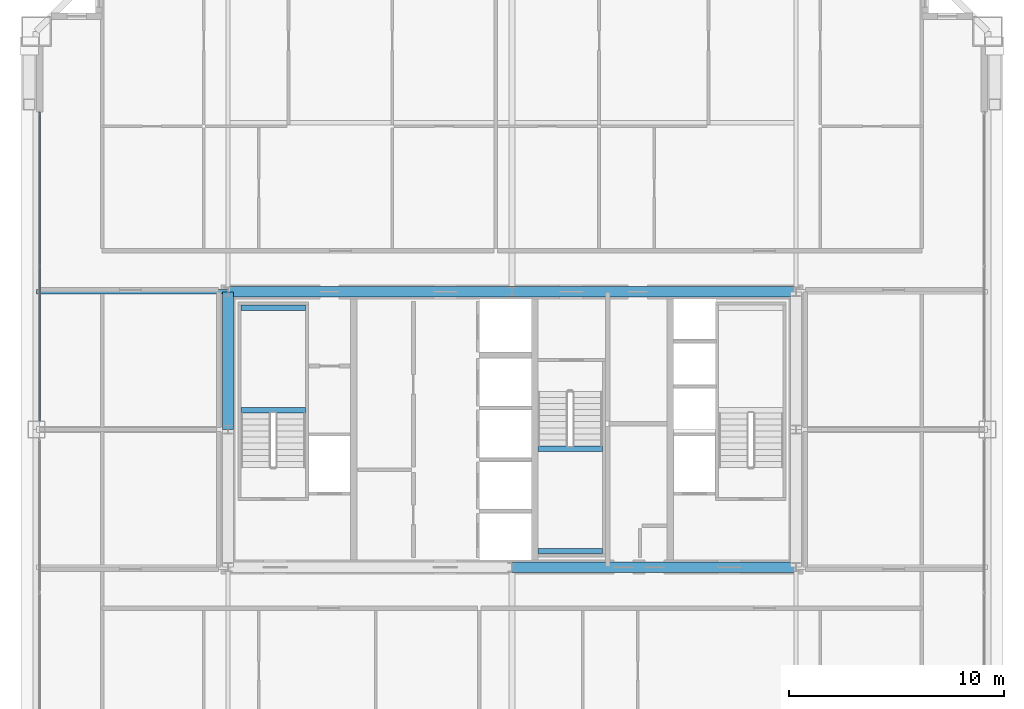
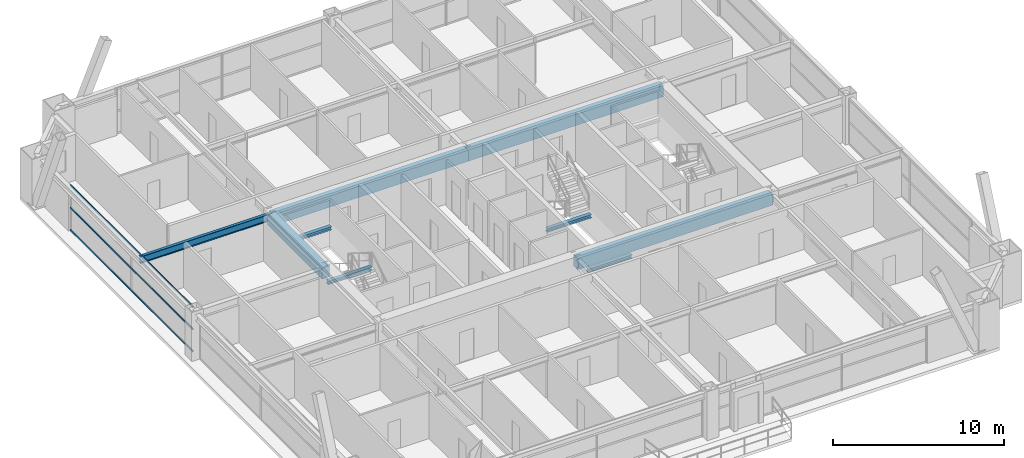
# One storey, part 19 of 45: 9 beams, 3 members, 1 element without a shape of its own.
"""IFC4 building model written with IfcOpenShell, lengths in metres."""

import ifcopenshell
import ifcopenshell.guid

model = None  # the IFC model being written
_history = None  # IfcOwnerHistory: only IFC2X3 demands one
_inside = {}  # id of a spatial element -> (the spatial element, [elements in it])
_under = {}  # id of a project, library or spatial element -> (it, [spatial elements below it])
_declared = {}  # id of a project -> (the project, [libraries it declares])
_typed = {}  # id of a type object -> (the type object, [elements of that type])
_made_of = {}  # id of a material, layer set ... -> (it, [elements and type objects made of it])


def new_model(schema):
    """Start an empty IFC model of exactly this schema.

    Asked for "IFC4X3", IfcOpenShell would pick the latest addendum, in which some entities
    have other attributes; the version numbers below select the first issue.
    IFC2X3 requires an IfcOwnerHistory on every rooted entity: one is made here for all.
    """
    global model, _history
    if schema == "IFC4X3":
        model = ifcopenshell.file(schema_version=(4, 3, 0, 0))
    else:
        model = ifcopenshell.file(schema=schema)
    _inside.clear()
    _under.clear()
    _declared.clear()
    _typed.clear()
    _made_of.clear()
    _history = None
    if model.schema == "IFC2X3":
        org = make("IfcOrganization", Name="unknown")
        user = make(
            "IfcPersonAndOrganization",
            ThePerson=make("IfcPerson", FamilyName="unknown"),
            TheOrganization=org,
        )
        app = make(
            "IfcApplication",
            ApplicationDeveloper=org,
            Version="unknown",
            ApplicationFullName="unknown",
            ApplicationIdentifier="unknown",
        )
        _history = make(
            "IfcOwnerHistory",
            OwningUser=user,
            OwningApplication=app,
            ChangeAction="ADDED",
            CreationDate=0,
        )
    return model


def make(cls, **values):
    """One entity of the class cls with the attributes given. An attribute that is None is left unset."""
    return model.create_entity(
        cls, **{name: value for name, value in values.items() if value is not None}
    )


def rooted(cls, **values):
    """An entity with a GlobalId (a new one), such as an element, a storey or a relation."""
    return make(cls, GlobalId=ifcopenshell.guid.new(), OwnerHistory=_history, **values)


def si_unit(unit_type, name, prefix=None):
    """IfcSIUnit, for example si_unit("LENGTHUNIT", "METRE", prefix="MILLI")."""
    return make("IfcSIUnit", UnitType=unit_type, Prefix=prefix, Name=name)


def assignment(units):
    """IfcUnitAssignment: the units of a project."""
    return None if units is None else make("IfcUnitAssignment", Units=units)


def point(xyz):
    """IfcCartesianPoint."""
    return None if xyz is None else make("IfcCartesianPoint", Coordinates=xyz)


def direction(xyz):
    """IfcDirection."""
    return None if xyz is None else make("IfcDirection", DirectionRatios=xyz)


def frame(location, z_axis=None, x_axis=None):
    """IfcAxis2Placement3D, a coordinate frame: its origin and axes. An axis left out is left unset."""
    return make(
        "IfcAxis2Placement3D",
        Location=point(location),
        Axis=direction(z_axis),
        RefDirection=direction(x_axis),
    )


def frame_2d(location, x_axis=None):
    """IfcAxis2Placement2D, a coordinate frame in the plane: its origin and x axis."""
    return make(
        "IfcAxis2Placement2D", Location=point(location), RefDirection=direction(x_axis)
    )


def origin():
    """The frame at (0, 0, 0) with its axes left unset."""
    return frame((0.0, 0.0, 0.0))


def origin_2d():
    """The frame at (0, 0) in the plane with its x axis left unset."""
    return frame_2d((0.0, 0.0))


def place(relative_to, where):
    """IfcLocalPlacement: puts the frame where relative to a parent placement (None: the world)."""
    return make(
        "IfcLocalPlacement", PlacementRelTo=relative_to, RelativePlacement=where
    )


def context(
    kind, dimensions, precision=None, world=None, true_north=None, identifier=None
):
    """IfcGeometricRepresentationContext, for example the 3D "Model" context."""
    return make(
        "IfcGeometricRepresentationContext",
        ContextIdentifier=identifier,
        ContextType=kind,
        CoordinateSpaceDimension=dimensions,
        Precision=precision,
        WorldCoordinateSystem=world,
        TrueNorth=true_north,
    )


def subcontext(parent, identifier, kind, view, scale=None):
    """IfcGeometricRepresentationSubContext, for example "Body" below "Model"."""
    return make(
        "IfcGeometricRepresentationSubContext",
        ContextIdentifier=identifier,
        ContextType=kind,
        ParentContext=parent,
        TargetScale=scale,
        TargetView=view,
    )


def project(units=None, contexts=None):
    """IfcProject with its units and contexts."""
    return rooted(
        "IfcProject",
        Name="project",
        RepresentationContexts=contexts,
        UnitsInContext=assignment(units),
    )


def spatial(cls, under=None, at=None, **own):
    """A site, building, storey or space (cls), placed at a placement, below another one or the project."""
    s = rooted(cls, ObjectPlacement=at, **own)
    if under is not None:
        _under.setdefault(under.id(), (under, []))[1].append(s)
    return s


def profile(cls, at=None, kind="AREA", **sizes):
    """A parametric profile (cls). Its sizes go by their IFC names, for example OverallWidth=200.0."""
    return make(cls, ProfileType=kind, Position=at, **sizes)


def rectangle(**sizes):
    """IfcRectangleProfileDef."""
    return profile("IfcRectangleProfileDef", **sizes)


def hollow_rectangle(**sizes):
    """IfcRectangleHollowProfileDef."""
    return profile("IfcRectangleHollowProfileDef", **sizes)


def i_section(**sizes):
    """IfcIShapeProfileDef."""
    return profile("IfcIShapeProfileDef", **sizes)


def extrude(swept, where, along, depth):
    """IfcExtrudedAreaSolid: the profile swept, set in the frame where, extruded along a direction by depth."""
    return make(
        "IfcExtrudedAreaSolid",
        SweptArea=swept,
        Position=where,
        ExtrudedDirection=direction(along),
        Depth=depth,
    )


def shape(context_of_items, identifier, shape_type, items):
    """IfcShapeRepresentation: the items that make up one representation, for example the "Body"."""
    return make(
        "IfcShapeRepresentation",
        ContextOfItems=context_of_items,
        RepresentationIdentifier=identifier,
        RepresentationType=shape_type,
        Items=items,
    )


def source(mapping_origin, context_of_items, identifier, shape_type, items):
    """IfcRepresentationMap: a shape defined once, which mapped items show again and again."""
    return make(
        "IfcRepresentationMap",
        MappingOrigin=mapping_origin,
        MappedRepresentation=shape(context_of_items, identifier, shape_type, items),
    )


def transform(
    local_origin,
    x_axis=None,
    y_axis=None,
    z_axis=None,
    scale=None,
    scale2=None,
    scale3=None,
    uniform=True,
):
    """IfcCartesianTransformationOperator3D, or its non-uniform kind. x_axis, y_axis, z_axis: its Axis1, 2, 3."""
    if uniform:
        return make(
            "IfcCartesianTransformationOperator3D",
            Axis1=direction(x_axis),
            Axis2=direction(y_axis),
            LocalOrigin=point(local_origin),
            Scale=scale,
            Axis3=direction(z_axis),
        )
    return make(
        "IfcCartesianTransformationOperator3DnonUniform",
        Axis1=direction(x_axis),
        Axis2=direction(y_axis),
        LocalOrigin=point(local_origin),
        Scale=scale,
        Axis3=direction(z_axis),
        Scale2=scale2,
        Scale3=scale3,
    )


def mapped(mapping_source, mapping_target):
    """IfcMappedItem: shows the shape of a source again, moved by a transform."""
    return make(
        "IfcMappedItem", MappingSource=mapping_source, MappingTarget=mapping_target
    )


def material(Name=None, Category=None):
    """IfcMaterial."""
    return make("IfcMaterial", Name=Name, Category=Category)


def layer(
    of_material, thickness, ventilated=None, Name=None, Category=None, Priority=None
):
    """IfcMaterialLayer: one layer of a wall or slab, of a material (None: an air gap)."""
    return make(
        "IfcMaterialLayer",
        Material=of_material,
        LayerThickness=thickness,
        IsVentilated=ventilated,
        Name=Name,
        Category=Category,
        Priority=Priority,
    )


def layer_set(layers, Name=None):
    """IfcMaterialLayerSet."""
    return make("IfcMaterialLayerSet", MaterialLayers=layers, LayerSetName=Name)


def material_profile(
    of_material, cross_section, Name=None, Category=None, Priority=None
):
    """IfcMaterialProfile: a cross section and its material."""
    return make(
        "IfcMaterialProfile",
        Name=Name,
        Material=of_material,
        Profile=cross_section,
        Priority=Priority,
        Category=Category,
    )


def profile_set(profiles, Name=None, composite=None):
    """IfcMaterialProfileSet."""
    return make(
        "IfcMaterialProfileSet",
        Name=Name,
        MaterialProfiles=profiles,
        CompositeProfile=composite,
    )


def made_of(thing, what):
    """Note that an element or type object is made of a material, layer set ...; save() writes the relation."""
    if what is not None:
        _made_of.setdefault(what.id(), (what, []))[1].append(thing)
    return thing


def type_object(cls, material=None, **own):
    """A type object (cls), such as IfcWallType, which elements share."""
    return made_of(rooted(cls, **own), material)


def element(
    cls,
    number,
    at=None,
    inside=None,
    cuts=None,
    type_object=None,
    material=None,
    context=None,
    identifier="Body",
    shape_type=None,
    held_by="IfcProductDefinitionShape",
    body=None,
    shapes=None,
    **own,
):
    """One element of the class cls, such as IfcWall. Its Tag is "e" and its number.

    at: its placement. inside: the storey or other place that contains it. cuts: it is an
    opening in that element (IfcRelVoidsElement). A single representation is given by context,
    identifier, shape_type and body (its items); several are given by shapes. held_by: the class
    of the entity that holds the representations. save() writes the other relations.
    """
    e = rooted(cls, Tag="e%d" % number, ObjectPlacement=at, **own)
    if body is not None:
        shapes = [shape(context, identifier, shape_type, body)]
    if shapes is not None:
        e.Representation = make(held_by, Representations=shapes)
    if inside is not None:
        _inside.setdefault(inside.id(), (inside, []))[1].append(e)
    if cuts is not None:
        rooted(
            "IfcRelVoidsElement", RelatingBuildingElement=cuts, RelatedOpeningElement=e
        )
    if type_object is not None:
        _typed.setdefault(type_object.id(), (type_object, []))[1].append(e)
    return made_of(e, material)


def aggregate(whole, parts):
    """IfcRelAggregates: a whole, such as a stair, and the parts it consists of."""
    return rooted("IfcRelAggregates", RelatingObject=whole, RelatedObjects=parts)


def save(model, path):
    """Write the relations noted so far, then the file.

    IfcRelAggregates (storeys below a building ...), IfcRelContainedInSpatialStructure (elements
    in a storey), IfcRelDefinesByType, IfcRelAssociatesMaterial and IfcRelDeclares: one each for
    every whole, place, type object, material and project.
    """
    for whole, parts in _under.values():
        aggregate(whole, parts)
    for where, things in _inside.values():
        rooted(
            "IfcRelContainedInSpatialStructure",
            RelatedElements=things,
            RelatingStructure=where,
        )
    for kind, things in _typed.values():
        rooted("IfcRelDefinesByType", RelatedObjects=things, RelatingType=kind)
    for what, things in _made_of.values():
        rooted("IfcRelAssociatesMaterial", RelatedObjects=things, RelatingMaterial=what)
    for by, libraries in _declared.values():
        rooted("IfcRelDeclares", RelatingContext=by, RelatedDefinitions=libraries)
    model.write(path)


model = new_model("IFC4")

# Units and contexts
model_context = context("Model", 3, precision=1e-05, world=origin(), true_north=direction((0.0, 1.0)))
body_context = subcontext(model_context, "Body", "Model", "MODEL_VIEW")
ifc_project = project(units=[si_unit("LENGTHUNIT", "METRE"), si_unit("AREAUNIT", "SQUARE_METRE"), si_unit("VOLUMEUNIT", "CUBIC_METRE"), si_unit("PLANEANGLEUNIT", "RADIAN"), si_unit("MASSUNIT", "GRAM", prefix="KILO"), si_unit("THERMODYNAMICTEMPERATUREUNIT", "KELVIN"), si_unit("POWERUNIT", "WATT")], contexts=[model_context])

# Site, building, storey
site_placement = place(None, origin())
site = spatial("IfcSite", under=ifc_project, at=site_placement, CompositionType="ELEMENT")
building_placement = place(site_placement, origin())
building = spatial("IfcBuilding", under=site, at=building_placement, Name="Yuzanri Waterfront Tower", CompositionType="ELEMENT")
storey_placement = place(building_placement, frame((0.0, 0.0, 212.5)))
storey = spatial("IfcBuildingStorey", under=building, at=storey_placement, Name="L56", CompositionType="ELEMENT", Elevation=212.5)

# Beams
ifc_material_1 = material(Name="Steel Q355B", Category="steel")
ifc_material_profile_1 = material_profile(ifc_material_1, i_section(OverallWidth=0.199951171875, OverallDepth=0.5, WebThickness=0.010009765625, FlangeThickness=0.01611328125, at=origin_2d()), Name="HN 500x200x10x16")
ifc_profile_set_1 = profile_set([ifc_material_profile_1], Name="Steel Q355B")
beam_type_1 = type_object("IfcBeamType", Name="Secondary Floor Beam Q355B HN 500x200", PredefinedType="BEAM", material=ifc_profile_set_1)
shared_shape_1 = source(origin(), body_context, "Body", "SweptSolid", [
    extrude(i_section(OverallWidth=0.199951171875, OverallDepth=0.5, WebThickness=0.010009765625, FlangeThickness=0.01611328125, at=origin_2d()), origin(), (0.0, 0.0, 1.0), 8.900146484375),
])
beam_1_placement = place(storey_placement, frame((23.800048828125, 32.199951171875, 3.030029296875), z_axis=(-1.0, 0.0, 0.0), x_axis=(0.0, -1.0, 0.0)))
element("IfcBeam", 1, at=beam_1_placement, inside=storey, type_object=beam_type_1, Name="L56 West-North Core Line Beam", PredefinedType="BEAM", context=body_context, shape_type="MappedRepresentation", body=[
    mapped(shared_shape_1, transform((0.0, 0.0, 0.0), scale=1.0)),
])
ifc_material_2 = material(Name="Concrete C50", Category="concrete")
ifc_material_profile_2 = material_profile(ifc_material_2, rectangle(XDim=0.5, YDim=0.800048828125, at=origin_2d()), Name="RC 500x800")
ifc_profile_set_2 = profile_set([ifc_material_profile_2], Name="Concrete C50")
beam_type_2 = type_object("IfcBeamType", Name="Core Coupling Lintel Concrete C50 500x800", PredefinedType="LINTEL", material=ifc_profile_set_2)
shared_shape_2 = source(origin(), body_context, "Body", "SweptSolid", [
    extrude(rectangle(XDim=0.5, YDim=0.800048828125, at=origin_2d()), origin(), (0.0, 0.0, 1.0), 13.199951171875),
])
for number, where, z_axis, x_axis, name in (
    (2, (37.0, 19.39990234375, 2.8798828125), (1.0, 0.0, 0.0), (0.0, 1.0, 0.0), "L56 Core Tie Beam CS2"),
    (3, (23.800048828125, 32.199951171875, 2.8798828125), (1.0, 0.0, 0.0), (0.0, 1.0, 0.0), "L56 Core Tie Beam CN1"),
    (4, (37.0, 32.199951171875, 2.8798828125), (1.0, 0.0, 0.0), (0.0, 1.0, 0.0), "L56 Core Tie Beam CN2"),
):
    element("IfcBeam", number, at=place(storey_placement, frame(where, z_axis=z_axis, x_axis=x_axis)), inside=storey, type_object=beam_type_2, Name=name, PredefinedType="LINTEL", context=body_context, shape_type="MappedRepresentation", body=[
        mapped(shared_shape_2, transform((0.0, 0.0, 0.0), scale=1.0)),
    ])
shared_shape_3 = source(origin(), body_context, "Body", "SweptSolid", [
    extrude(rectangle(XDim=0.5, YDim=0.800048828125, at=origin_2d()), origin(), (0.0, 0.0, 1.0), 6.39990234375),
])
beam_2_placement = place(storey_placement, frame((23.800048828125, 25.800048828125, 2.8798828125), z_axis=(0.0, 1.0, 0.0), x_axis=(-1.0, 0.0, 0.0)))
element("IfcBeam", 5, at=beam_2_placement, inside=storey, type_object=beam_type_2, Name="L56 Core Tie Beam CW2", PredefinedType="LINTEL", context=body_context, shape_type="MappedRepresentation", body=[
    mapped(shared_shape_3, transform((0.0, 0.0, 0.0), scale=1.0)),
])

# Curtain wall, members
ifc_material_3 = material(Name="Anodized Architectural Bronze", Category="metal")
ifc_layer = layer(ifc_material_3, 0.159912109375)
ifc_layer_set = layer_set([ifc_layer], Name="Anodized Architectural Bronze")
curtain_wall_type = type_object("IfcCurtainWallType", Name="Anodized Bronze Mid-Rise Residential Acoustic Unitized Curtain Wall 7200", PredefinedType="NOTDEFINED", material=ifc_layer_set)
curtain_wall_placement = place(storey_placement, origin())
curtain_wall = element("IfcCurtainWall", 6, at=curtain_wall_placement, inside=storey, type_object=curtain_wall_type, Name="L56 Curtain Wall CW-L56-WR", PredefinedType="NOTDEFINED")
ifc_material_4 = material(Name="Anodized Architectural Bronze", Category="metal")
ifc_material_profile_3 = material_profile(ifc_material_4, hollow_rectangle(XDim=0.06494140625, YDim=0.1201171875, WallThickness=0.00341796875, at=origin_2d()), Name="CWT 65x120")
ifc_profile_set_3 = profile_set([ifc_material_profile_3], Name="Anodized Architectural Bronze")
member_type = type_object("IfcMemberType", Name="Anodized Bronze Secondary Curtain-Wall Transom 65x120", PredefinedType="USERDEFINED", material=ifc_profile_set_3)
shared_shape_4 = source(origin(), body_context, "Body", "SweptSolid", [
    extrude(hollow_rectangle(XDim=0.06494140625, YDim=0.1201171875, WallThickness=0.00341796875, at=origin_2d()), origin(), (0.0, 0.0, 1.0), 14.35009765625),
])
member_1_placement = place(storey_placement, frame((15.050048828125, 26.199951171875, 0.050048828125), z_axis=(0.0, 1.0, 0.0), x_axis=(-1.0, 0.0, 0.0)))
member_1 = element("IfcMember", 7, at=member_1_placement, type_object=member_type, Name="CW-L56-WR Transom 1", ObjectType="TRANSOM", PredefinedType="USERDEFINED", context=body_context, shape_type="MappedRepresentation", body=[
    mapped(shared_shape_4, transform((0.0, 0.0, 0.0), scale=1.0)),
])
member_2_placement = place(storey_placement, frame((15.050048828125, 26.199951171875, 1.639892578125), z_axis=(0.0, 1.0, 0.0), x_axis=(-1.0, 0.0, 0.0)))
member_2 = element("IfcMember", 8, at=member_2_placement, type_object=member_type, Name="CW-L56-WR Transom 2", ObjectType="TRANSOM", PredefinedType="USERDEFINED", context=body_context, shape_type="MappedRepresentation", body=[
    mapped(shared_shape_4, transform((0.0, 0.0, 0.0), scale=1.0)),
])
member_3_placement = place(storey_placement, frame((15.050048828125, 26.199951171875, 3.22998046875), z_axis=(0.0, 1.0, 0.0), x_axis=(-1.0, 0.0, 0.0)))
member_3 = element("IfcMember", 9, at=member_3_placement, type_object=member_type, Name="CW-L56-WR Transom 3", ObjectType="TRANSOM", PredefinedType="USERDEFINED", context=body_context, shape_type="MappedRepresentation", body=[
    mapped(shared_shape_4, transform((0.0, 0.0, 0.0), scale=1.0)),
])
aggregate(curtain_wall, [member_1, member_2, member_3])

# Beams
ifc_material_5 = material(Name="Steel Q355B", Category="steel")
ifc_material_profile_4 = material_profile(ifc_material_5, i_section(OverallWidth=0.25, OverallDepth=0.25, WebThickness=0.009033203125, FlangeThickness=0.013916015625, at=origin_2d()), Name="HW 250x250x9x14")
ifc_profile_set_4 = profile_set([ifc_material_profile_4], Name="Steel Q355B")
beam_type_3 = type_object("IfcBeamType", Name="Stair Landing Support Beam Q355B HW 250x250", PredefinedType="BEAM", material=ifc_profile_set_4)
shared_shape_5 = source(origin(), body_context, "Body", "SweptSolid", [
    extrude(i_section(OverallWidth=0.25, OverallDepth=0.25, WebThickness=0.009033203125, FlangeThickness=0.013916015625, at=origin_2d()), origin(), (0.0, 0.0, 1.0), 3.0),
])
for number, where, z_axis, x_axis, name in (
    (10, (24.39990234375, 26.68994140625, 1.425048828125), (1.0, 0.0, 0.0), (0.0, 1.0, 0.0), "L56 Stair Landing Support Beam ST-01-L56-L1-1"),
    (11, (24.39990234375, 31.449951171875, 1.425048828125), (1.0, 0.0, 0.0), (0.0, 1.0, 0.0), "L56 Stair Landing Support Beam ST-01-L56-L1-2"),
    (12, (38.199951171875, 20.14990234375, 1.425048828125), (1.0, 0.0, 0.0), (0.0, 1.0, 0.0), "L56 Stair Landing Support Beam ST-03-L56-L1-1"),
    (13, (38.199951171875, 24.909912109375, 1.425048828125), (1.0, 0.0, 0.0), (0.0, 1.0, 0.0), "L56 Stair Landing Support Beam ST-03-L56-L1-2"),
):
    element("IfcBeam", number, at=place(storey_placement, frame(where, z_axis=z_axis, x_axis=x_axis)), inside=storey, type_object=beam_type_3, Name=name, PredefinedType="BEAM", context=body_context, shape_type="MappedRepresentation", body=[
        mapped(shared_shape_5, transform((0.0, 0.0, 0.0), scale=1.0)),
    ])

save(model, "model.ifc")
